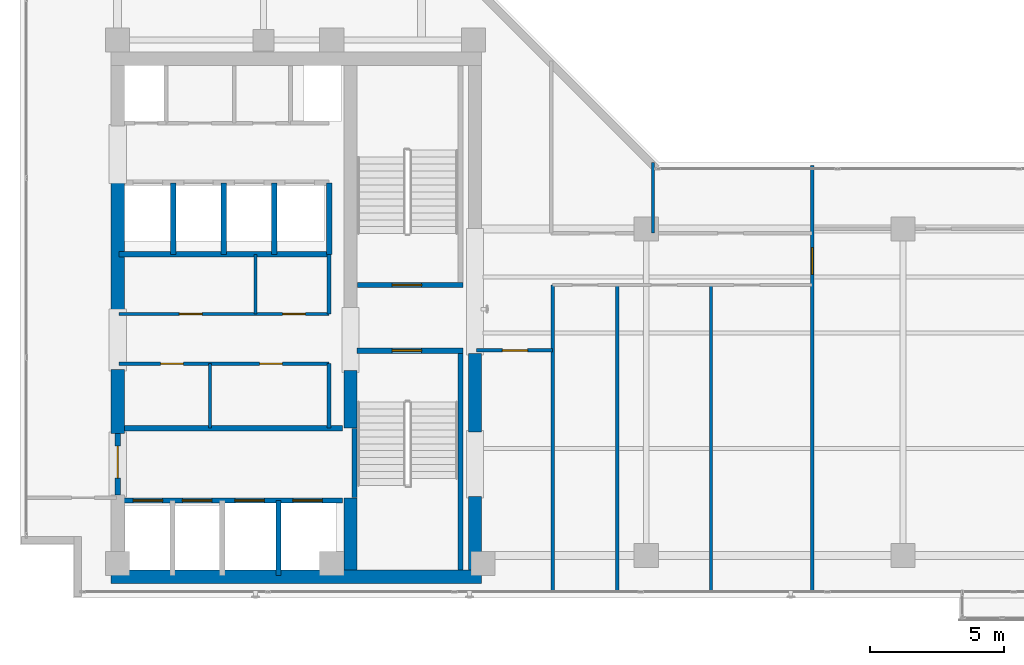
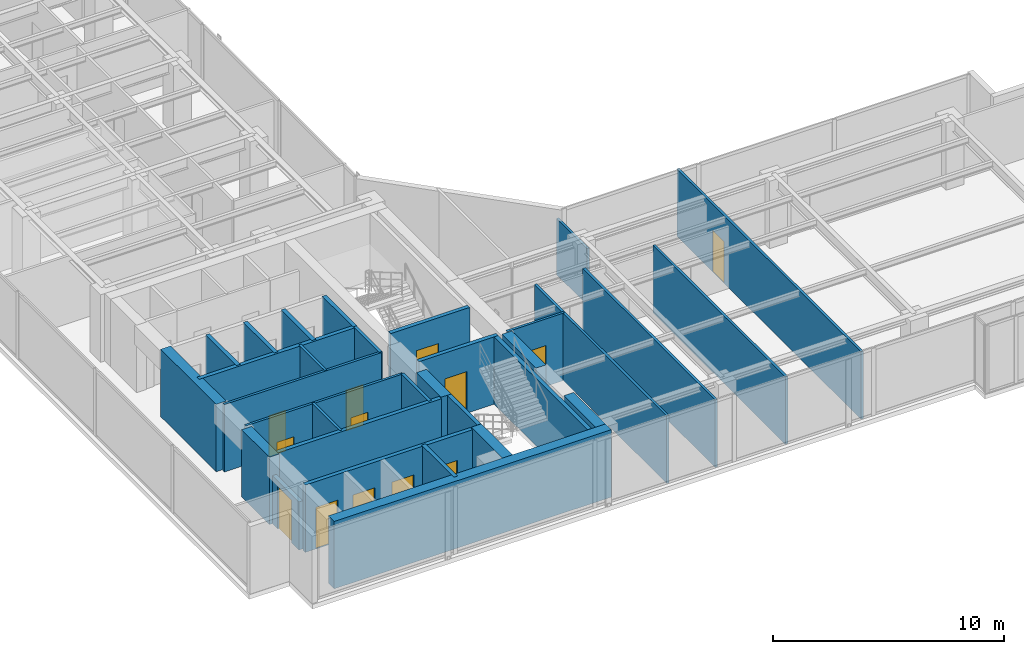
# One storey, part 16 of 23: 32 walls, 13 doors, 13 openings.
"""IFC4 building model written with IfcOpenShell, lengths in metres."""

from ifc_helpers import new_model, si_unit, direction, frame, frame_2d, origin, place, context, subcontext, project, spatial, rectangle, extrude, material, layer, layer_set, type_object, element, fill, save


model = new_model("IFC4")

# Units and contexts
model_context = context("Model", 3, precision=1e-05, world=origin(), true_north=direction((0.0, 1.0)))
body_context = subcontext(model_context, "Body", "Model", "MODEL_VIEW")
ifc_project = project(units=[si_unit("LENGTHUNIT", "METRE"), si_unit("AREAUNIT", "SQUARE_METRE"), si_unit("VOLUMEUNIT", "CUBIC_METRE"), si_unit("PLANEANGLEUNIT", "RADIAN"), si_unit("MASSUNIT", "GRAM", prefix="KILO")], contexts=[model_context])

# Site, building, storey
site_placement = place(None, origin())
site = spatial("IfcSite", under=ifc_project, at=site_placement, CompositionType="ELEMENT")
building_placement = place(site_placement, origin())
building = spatial("IfcBuilding", under=site, at=building_placement, Name="Kolvaren Waterfront Exchange", CompositionType="ELEMENT")
storey_placement = place(building_placement, frame((0.0, 0.0, 304.60009765625)))
storey = spatial("IfcBuildingStorey", under=building, at=storey_placement, Name="L78", CompositionType="ELEMENT", Elevation=304.60009765625)

# Wall, opening, door
ifc_material_1 = material(Name="Precast concrete C40/50", Category="concrete")
ifc_layer_1 = layer(ifc_material_1, 0.199951171875, Name="Precast concrete C40/50")
ifc_layer_set_1 = layer_set([ifc_layer_1], Name="Precast concrete C40/50")
wall_type_1 = type_object("IfcWallType", Name="ARC-FIRE-200", PredefinedType="PARTITIONING", material=ifc_layer_set_1)
wall_1_placement = place(storey_placement, frame((16.39990234375, 12.85009765625, 0.0), z_axis=(0.0, 0.0, 1.0), x_axis=(1.0, 0.0, 0.0)))
wall_1 = element("IfcWall", 1, at=wall_1_placement, inside=storey, type_object=wall_type_1, Name="L78 interior wall PW-L78-ST1-THROAT-S", PredefinedType="PARTITIONING", context=body_context, shape_type="SweptSolid", body=[
    extrude(rectangle(XDim=3.960205078125, YDim=0.199951171875, at=frame_2d((1.97998046875, 0.0))), origin(), (0.0, 0.0, 1.0), 3.559814453125),
])
opening_1_placement = place(wall_1_placement, frame((1.3037109375, 0.0, 0.0)))
opening_1 = element("IfcOpeningElement", 2, at=opening_1_placement, cuts=wall_1, Name="Opening FD2", PredefinedType="OPENING", context=body_context, shape_type="SweptSolid", body=[
    extrude(rectangle(XDim=1.10009765625, YDim=2.199951171875, at=frame_2d((0.550048828125, 1.10009765625))), frame((0.0, 0.10986328125, 0.0), z_axis=(0.0, -1.0, 0.0), x_axis=(1.0, 0.0, 0.0)), (0.0, 0.0, 1.0), 0.219970703125),
])
ifc_material_2 = material(Name="Pressed steel smoke-seal fire door", Category="steel")
door_type_1 = type_object("IfcDoorType", Name="ARC-FD-1100", OperationType="NOTDEFINED", PredefinedType="DOOR", material=ifc_material_2)
door_1_placement = place(opening_1_placement, frame((1.10009765625, 0.0, 0.0), z_axis=(0.0, 0.0, 1.0), x_axis=(-1.0, 0.0, 0.0)))
door_1 = element("IfcDoor", 3, at=door_1_placement, inside=storey, type_object=door_type_1, Name="L78 door DR-L78-ST1-IN (FD2)", OperationType="SINGLE_SWING_RIGHT", OverallHeight=2.199951171875, OverallWidth=1.10009765625, PredefinedType="DOOR", context=body_context, shape_type="SweptSolid", body=[
    extrude(rectangle(XDim=1.10009765625, YDim=2.199951171875, at=frame_2d((0.550048828125, 1.10009765625))), frame((0.0, 0.02490234375, 0.0), z_axis=(0.0, -1.0, 0.0), x_axis=(1.0, 0.0, 0.0)), (0.0, 0.0, 1.0), 0.050048828125),
])
fill(opening_1, door_1)

wall_2_placement = place(storey_placement, frame((16.409912109375, 15.300048828125, 0.0), z_axis=(0.0, 0.0, 1.0), x_axis=(1.0, 0.0, 0.0)))
wall_2 = element("IfcWall", 4, at=wall_2_placement, inside=storey, type_object=wall_type_1, Name="L78 interior wall PW-L78-ST2-THROAT-N", PredefinedType="PARTITIONING", context=body_context, shape_type="SweptSolid", body=[
    extrude(rectangle(XDim=3.9501953125, YDim=0.199951171875, at=frame_2d((1.97509765625, 0.0))), origin(), (0.0, 0.0, 1.0), 3.559814453125),
])
opening_2_placement = place(wall_2_placement, frame((1.293701171875, 0.0, 0.0)))
opening_2 = element("IfcOpeningElement", 5, at=opening_2_placement, cuts=wall_2, Name="Opening FD2", PredefinedType="OPENING", context=body_context, shape_type="SweptSolid", body=[
    extrude(rectangle(XDim=1.10009765625, YDim=2.199951171875, at=frame_2d((0.550048828125, 1.10009765625))), frame((0.0, 0.10986328125, 0.0), z_axis=(0.0, -1.0, 0.0), x_axis=(1.0, 0.0, 0.0)), (0.0, 0.0, 1.0), 0.219970703125),
])
door_2_placement = place(opening_2_placement, origin())
door_2 = element("IfcDoor", 6, at=door_2_placement, inside=storey, type_object=door_type_1, Name="L78 door DR-L78-ST2-IN (FD2)", OperationType="SINGLE_SWING_LEFT", OverallHeight=2.199951171875, OverallWidth=1.10009765625, PredefinedType="DOOR", context=body_context, shape_type="SweptSolid", body=[
    extrude(rectangle(XDim=1.10009765625, YDim=2.199951171875, at=frame_2d((0.550048828125, 1.10009765625))), frame((0.0, 0.02490234375, 0.0), z_axis=(0.0, -1.0, 0.0), x_axis=(1.0, 0.0, 0.0)), (0.0, 0.0, 1.0), 0.050048828125),
])
fill(opening_2, door_2)

# Wall
wall_3_placement = place(storey_placement, frame((7.5, 9.949951171875, 0.0), z_axis=(0.0, 0.0, 1.0), x_axis=(1.0, 0.0, 0.0)))
element("IfcWall", 7, at=wall_3_placement, inside=storey, type_object=wall_type_1, Name="L78 interior wall PW-L78-FF-N", PredefinedType="PARTITIONING", context=body_context, shape_type="SweptSolid", body=[
    extrude(rectangle(XDim=8.35009765625, YDim=0.199951171875, at=frame_2d((4.175048828125, 0.0))), origin(), (0.0, 0.0, 1.0), 3.559814453125),
])

# Wall, opening, door
wall_4_placement = place(storey_placement, frame((7.449951171875, 7.449951171875, 0.0), z_axis=(0.0, 0.0, 1.0), x_axis=(0.0, 1.0, 0.0)))
wall_4 = element("IfcWall", 8, at=wall_4_placement, inside=storey, type_object=wall_type_1, Name="L78 interior wall PW-L78-FF-W-DOOR", PredefinedType="PARTITIONING", context=body_context, shape_type="SweptSolid", body=[
    extrude(rectangle(XDim=2.300048828125, YDim=0.199951171875, at=frame_2d((1.14990234375, 0.0))), origin(), (0.0, 0.0, 1.0), 2.539794921875),
])
opening_3_placement = place(wall_4_placement, frame((0.63330078125, 0.0, 0.0)))
opening_3 = element("IfcOpeningElement", 9, at=opening_3_placement, cuts=wall_4, Name="Opening FD3", PredefinedType="OPENING", context=body_context, shape_type="SweptSolid", body=[
    extrude(rectangle(XDim=1.199951171875, YDim=2.25, at=frame_2d((0.60009765625, 1.125))), frame((0.0, 0.10986328125, 0.0), z_axis=(0.0, -1.0, 0.0), x_axis=(1.0, 0.0, 0.0)), (0.0, 0.0, 1.0), 0.219970703125),
])
ifc_material_3 = material(Name="Pressed steel fire door", Category="steel")
door_type_2 = type_object("IfcDoorType", Name="ARC-FD-1200", OperationType="NOTDEFINED", PredefinedType="DOOR", material=ifc_material_3)
door_3_placement = place(opening_3_placement, frame((1.199951171875, 0.0, 0.0), z_axis=(0.0, 0.0, 1.0), x_axis=(-1.0, 0.0, 0.0)))
door_3 = element("IfcDoor", 10, at=door_3_placement, inside=storey, type_object=door_type_2, Name="L78 door DR-L78-FF-OUT (FD3)", OperationType="SINGLE_SWING_RIGHT", OverallHeight=2.25, OverallWidth=1.199951171875, PredefinedType="DOOR", context=body_context, shape_type="SweptSolid", body=[
    extrude(rectangle(XDim=1.199951171875, YDim=2.25, at=frame_2d((0.60009765625, 1.125))), frame((0.0, 0.02490234375, 0.0), z_axis=(0.0, -1.0, 0.0), x_axis=(1.0, 0.0, 0.0)), (0.0, 0.0, 1.0), 0.050048828125),
])
fill(opening_3, door_3)

# Wall, openings, doors
ifc_material_4 = material(Name="Acoustic gypsum steel stud", Category="steel")
ifc_layer_2 = layer(ifc_material_4, 0.125, Name="Acoustic gypsum steel stud")
ifc_layer_set_2 = layer_set([ifc_layer_2], Name="Acoustic gypsum steel stud")
wall_type_2 = type_object("IfcWallType", Name="ARC-PART-125", PredefinedType="PARTITIONING", material=ifc_layer_set_2)
wall_5_placement = place(storey_placement, frame((7.5, 12.360107421875, 0.0), z_axis=(0.0, 0.0, 1.0), x_axis=(1.0, 0.0, 0.0)))
wall_5 = element("IfcWall", 11, at=wall_5_placement, inside=storey, type_object=wall_type_2, Name="L78 interior wall PW-L78-REC-HI-S", PredefinedType="PARTITIONING", context=body_context, shape_type="SweptSolid", body=[
    extrude(rectangle(XDim=7.85009765625, YDim=0.125, at=frame_2d((3.925048828125, 0.0))), origin(), (0.0, 0.0, 1.0), 3.559814453125),
])
opening_4_placement = place(wall_5_placement, frame((1.550048828125, 0.0, 0.0)))
opening_4 = element("IfcOpeningElement", 12, at=opening_4_placement, cuts=wall_5, Name="Opening D01", PredefinedType="OPENING", context=body_context, shape_type="SweptSolid", body=[
    extrude(rectangle(XDim=0.85009765625, YDim=2.14990234375, at=frame_2d((0.425048828125, 1.074951171875))), frame((0.0, 0.072509765625, 0.0), z_axis=(0.0, -1.0, 0.0), x_axis=(1.0, 0.0, 0.0)), (0.0, 0.0, 1.0), 0.14501953125),
])
opening_5_placement = place(wall_5_placement, frame((5.2578125, 0.0, 0.0)))
opening_5 = element("IfcOpeningElement", 13, at=opening_5_placement, cuts=wall_5, Name="Opening D01", PredefinedType="OPENING", context=body_context, shape_type="SweptSolid", body=[
    extrude(rectangle(XDim=0.85009765625, YDim=2.14990234375, at=frame_2d((0.425048828125, 1.074951171875))), frame((0.0, 0.072509765625, 0.0), z_axis=(0.0, -1.0, 0.0), x_axis=(1.0, 0.0, 0.0)), (0.0, 0.0, 1.0), 0.14501953125),
])
ifc_material_5 = material(Name="Oak veneer timber leaf", Category="wood")
door_type_3 = type_object("IfcDoorType", Name="ARC-DR-900", OperationType="NOTDEFINED", PredefinedType="DOOR", material=ifc_material_5)
door_4_placement = place(opening_4_placement, origin())
door_4 = element("IfcDoor", 14, at=door_4_placement, inside=storey, type_object=door_type_3, Name="L78 door DR-L78-REC-HI-D1 (D01)", OperationType="SINGLE_SWING_LEFT", OverallHeight=2.14990234375, OverallWidth=0.85009765625, PredefinedType="DOOR", context=body_context, shape_type="SweptSolid", body=[
    extrude(rectangle(XDim=0.85009765625, YDim=2.14990234375, at=frame_2d((0.425048828125, 1.074951171875))), frame((0.0, 0.02490234375, 0.0), z_axis=(0.0, -1.0, 0.0), x_axis=(1.0, 0.0, 0.0)), (0.0, 0.0, 1.0), 0.050048828125),
])
fill(opening_4, door_4)
door_5_placement = place(opening_5_placement, origin())
door_5 = element("IfcDoor", 15, at=door_5_placement, inside=storey, type_object=door_type_3, Name="L78 door DR-L78-REC-HI-D2 (D01)", OperationType="SINGLE_SWING_RIGHT", OverallHeight=2.14990234375, OverallWidth=0.85009765625, PredefinedType="DOOR", context=body_context, shape_type="SweptSolid", body=[
    extrude(rectangle(XDim=0.85009765625, YDim=2.14990234375, at=frame_2d((0.425048828125, 1.074951171875))), frame((0.0, 0.02490234375, 0.0), z_axis=(0.0, -1.0, 0.0), x_axis=(1.0, 0.0, 0.0)), (0.0, 0.0, 1.0), 0.050048828125),
])
fill(opening_5, door_5)

wall_6_placement = place(storey_placement, frame((7.5, 14.219970703125, 0.0), z_axis=(0.0, 0.0, 1.0), x_axis=(1.0, 0.0, 0.0)))
wall_6 = element("IfcWall", 16, at=wall_6_placement, inside=storey, type_object=wall_type_2, Name="L78 interior wall PW-L78-REC-HI-N", PredefinedType="PARTITIONING", context=body_context, shape_type="SweptSolid", body=[
    extrude(rectangle(XDim=7.85009765625, YDim=0.125, at=frame_2d((3.925048828125, 0.0))), origin(), (0.0, 0.0, 1.0), 3.559814453125),
])
opening_6_placement = place(wall_6_placement, frame((2.25244140625, 0.0, 0.0)))
opening_6 = element("IfcOpeningElement", 17, at=opening_6_placement, cuts=wall_6, Name="Opening D01", PredefinedType="OPENING", context=body_context, shape_type="SweptSolid", body=[
    extrude(rectangle(XDim=0.85009765625, YDim=2.14990234375, at=frame_2d((0.425048828125, 1.074951171875))), frame((0.0, 0.072509765625, 0.0), z_axis=(0.0, -1.0, 0.0), x_axis=(1.0, 0.0, 0.0)), (0.0, 0.0, 1.0), 0.14501953125),
])
opening_7_placement = place(wall_6_placement, frame((6.111328125, 0.0, 0.0)))
opening_7 = element("IfcOpeningElement", 18, at=opening_7_placement, cuts=wall_6, Name="Opening D01", PredefinedType="OPENING", context=body_context, shape_type="SweptSolid", body=[
    extrude(rectangle(XDim=0.85009765625, YDim=2.14990234375, at=frame_2d((0.425048828125, 1.074951171875))), frame((0.0, 0.072509765625, 0.0), z_axis=(0.0, -1.0, 0.0), x_axis=(1.0, 0.0, 0.0)), (0.0, 0.0, 1.0), 0.14501953125),
])
door_6_placement = place(opening_6_placement, origin())
door_6 = element("IfcDoor", 19, at=door_6_placement, inside=storey, type_object=door_type_3, Name="L78 door DR-L78-REC-HI-D3 (D01)", OperationType="SINGLE_SWING_LEFT", OverallHeight=2.14990234375, OverallWidth=0.85009765625, PredefinedType="DOOR", context=body_context, shape_type="SweptSolid", body=[
    extrude(rectangle(XDim=0.85009765625, YDim=2.14990234375, at=frame_2d((0.425048828125, 1.074951171875))), frame((0.0, 0.02490234375, 0.0), z_axis=(0.0, -1.0, 0.0), x_axis=(1.0, 0.0, 0.0)), (0.0, 0.0, 1.0), 0.050048828125),
])
fill(opening_6, door_6)
door_7_placement = place(opening_7_placement, origin())
door_7 = element("IfcDoor", 20, at=door_7_placement, inside=storey, type_object=door_type_3, Name="L78 door DR-L78-REC-HI-D4 (D01)", OperationType="SINGLE_SWING_RIGHT", OverallHeight=2.14990234375, OverallWidth=0.85009765625, PredefinedType="DOOR", context=body_context, shape_type="SweptSolid", body=[
    extrude(rectangle(XDim=0.85009765625, YDim=2.14990234375, at=frame_2d((0.425048828125, 1.074951171875))), frame((0.0, 0.02490234375, 0.0), z_axis=(0.0, -1.0, 0.0), x_axis=(1.0, 0.0, 0.0)), (0.0, 0.0, 1.0), 0.050048828125),
])
fill(opening_7, door_7)

# Walls
wall_7_placement = place(storey_placement, frame((10.89990234375, 9.949951171875, 0.0), z_axis=(0.0, 0.0, 1.0), x_axis=(0.0, 1.0, 0.0)))
element("IfcWall", 21, at=wall_7_placement, inside=storey, type_object=wall_type_2, Name="L78 interior wall PW-L78-REC-HI-MS3", PredefinedType="PARTITIONING", context=body_context, shape_type="SweptSolid", body=[
    extrude(rectangle(XDim=2.41015625, YDim=0.125, at=frame_2d((1.205078125, 0.0))), origin(), (0.0, 0.0, 1.0), 3.559814453125),
])
wall_8_placement = place(storey_placement, frame((12.60009765625, 14.219970703125, 0.0), z_axis=(0.0, 0.0, 1.0), x_axis=(0.0, 1.0, 0.0)))
element("IfcWall", 22, at=wall_8_placement, inside=storey, type_object=wall_type_2, Name="L78 interior wall PW-L78-REC-HI-MN3", PredefinedType="PARTITIONING", context=body_context, shape_type="SweptSolid", body=[
    extrude(rectangle(XDim=2.22998046875, YDim=0.125, at=frame_2d((1.114990234375, 0.0))), origin(), (0.0, 0.0, 1.0), 3.559814453125),
])

# Wall, opening, door
wall_9_placement = place(storey_placement, frame((20.85009765625, 12.860107421875, 0.0), z_axis=(0.0, 0.0, 1.0), x_axis=(1.0, 0.0, 0.0)))
wall_9 = element("IfcWall", 23, at=wall_9_placement, inside=storey, type_object=wall_type_2, Name="L78 interior wall PW-L78-SWST3-N", PredefinedType="PARTITIONING", context=body_context, shape_type="SweptSolid", body=[
    extrude(rectangle(XDim=2.849853515625, YDim=0.125, at=frame_2d((1.4248046875, 0.0))), origin(), (0.0, 0.0, 1.0), 3.559814453125),
])
opening_8_placement = place(wall_9_placement, frame((0.971435546875, 0.0, 0.0)))
opening_8 = element("IfcOpeningElement", 24, at=opening_8_placement, cuts=wall_9, Name="Opening D02", PredefinedType="OPENING", context=body_context, shape_type="SweptSolid", body=[
    extrude(rectangle(XDim=0.949951171875, YDim=2.14990234375, at=frame_2d((0.47509765625, 1.074951171875))), frame((0.0, 0.072509765625, 0.0), z_axis=(0.0, -1.0, 0.0), x_axis=(1.0, 0.0, 0.0)), (0.0, 0.0, 1.0), 0.14501953125),
])
ifc_material_6 = material(Name="Oak veneer acoustic timber", Category="wood")
door_type_4 = type_object("IfcDoorType", Name="ARC-DR-950", OperationType="NOTDEFINED", PredefinedType="DOOR", material=ifc_material_6)
door_8_placement = place(opening_8_placement, origin())
door_8 = element("IfcDoor", 25, at=door_8_placement, inside=storey, type_object=door_type_4, Name="L78 door DR-L78-SWST3-D (D02)", OperationType="SINGLE_SWING_LEFT", OverallHeight=2.14990234375, OverallWidth=0.949951171875, PredefinedType="DOOR", context=body_context, shape_type="SweptSolid", body=[
    extrude(rectangle(XDim=0.949951171875, YDim=2.14990234375, at=frame_2d((0.47509765625, 1.074951171875))), frame((0.0, 0.02490234375, 0.0), z_axis=(0.0, -1.0, 0.0), x_axis=(1.0, 0.0, 0.0)), (0.0, 0.0, 1.0), 0.050048828125),
])
fill(opening_8, door_8)

# Walls
for number, where, z_axis, x_axis, name in (
    (26, (23.699951171875, 3.840087890625, 0.0), (0.0, 0.0, 1.0), (0.0, 1.0, 0.0), "L78 interior wall PW-L78-ES-W0"),
    (27, (26.1201171875, 3.840087890625, 0.0), (0.0, 0.0, 1.0), (0.0, 1.0, 0.0), "L78 interior wall PW-L78-ES-DIV-1"),
    (28, (29.6201171875, 3.840087890625, 0.0), (0.0, 0.0, 1.0), (0.0, 1.0, 0.0), "L78 interior wall PW-L78-ES-DIV-2"),
):
    element("IfcWall", number, at=place(storey_placement, frame(where, z_axis=z_axis, x_axis=x_axis)), inside=storey, type_object=wall_type_2, Name=name, PredefinedType="PARTITIONING", context=body_context, shape_type="SweptSolid", body=[
        extrude(rectangle(XDim=11.4599609375, YDim=0.125, at=frame_2d((5.72998046875, 0.0))), origin(), (0.0, 0.0, 1.0), 3.559814453125),
    ])

# Wall, opening, door
wall_10_placement = place(storey_placement, frame((33.39990234375, 3.840087890625, 0.0), z_axis=(0.0, 0.0, 1.0), x_axis=(0.0, 1.0, 0.0)))
wall_10 = element("IfcWall", 29, at=wall_10_placement, inside=storey, type_object=wall_type_2, Name="L78 interior wall PW-L78-ETIP-W", PredefinedType="PARTITIONING", context=body_context, shape_type="SweptSolid", body=[
    extrude(rectangle(XDim=15.919921875, YDim=0.125, at=frame_2d((7.9599609375, 0.0))), origin(), (0.0, 0.0, 1.0), 3.559814453125),
])
opening_9_placement = place(wall_10_placement, frame((11.860107421875, 0.0, 0.0)))
opening_9 = element("IfcOpeningElement", 30, at=opening_9_placement, cuts=wall_10, Name="Opening D03", PredefinedType="OPENING", context=body_context, shape_type="SweptSolid", body=[
    extrude(rectangle(XDim=1.0, YDim=2.199951171875, at=frame_2d((0.5, 1.10009765625))), frame((0.0, 0.072509765625, 0.0), z_axis=(0.0, -1.0, 0.0), x_axis=(1.0, 0.0, 0.0)), (0.0, 0.0, 1.0), 0.14501953125),
])
ifc_material_7 = material(Name="Oak veneer accessible timber", Category="wood")
door_type_5 = type_object("IfcDoorType", Name="ARC-DR-1000", OperationType="NOTDEFINED", PredefinedType="DOOR", material=ifc_material_7)
door_9_placement = place(opening_9_placement, origin())
door_9 = element("IfcDoor", 31, at=door_9_placement, inside=storey, type_object=door_type_5, Name="L78 door DR-L78-ETIP1-D (D03)", OperationType="SINGLE_SWING_LEFT", OverallHeight=2.199951171875, OverallWidth=1.0, PredefinedType="DOOR", context=body_context, shape_type="SweptSolid", body=[
    extrude(rectangle(XDim=1.0, YDim=2.199951171875, at=frame_2d((0.5, 1.10009765625))), frame((0.0, 0.02490234375, 0.0), z_axis=(0.0, -1.0, 0.0), x_axis=(1.0, 0.0, 0.0)), (0.0, 0.0, 1.0), 0.050048828125),
])
fill(opening_9, door_9)

# Walls
wall_11_placement = place(storey_placement, frame((27.449951171875, 17.239990234375, 0.0), z_axis=(0.0, 0.0, 1.0), x_axis=(0.0, 1.0, 0.0)))
element("IfcWall", 32, at=wall_11_placement, inside=storey, type_object=wall_type_2, Name="L78 interior wall PW-L78-EN-DIV-1", PredefinedType="PARTITIONING", context=body_context, shape_type="SweptSolid", body=[
    extrude(rectangle(XDim=2.638427734375, YDim=0.125, at=frame_2d((1.3193359375, 0.0))), origin(), (0.0, 0.0, 1.0), 2.9599609375),
])
ifc_material_8 = material(Name="Gypsum fireboard steel stud", Category="steel")
ifc_layer_3 = layer(ifc_material_8, 0.14990234375, Name="Gypsum fireboard steel stud")
ifc_layer_set_3 = layer_set([ifc_layer_3], Name="Gypsum fireboard steel stud")
wall_type_3 = type_object("IfcWallType", Name="ARC-PART-150", PredefinedType="PARTITIONING", material=ifc_layer_set_3)
wall_12_placement = place(storey_placement, frame((15.35009765625, 9.949951171875, 0.0), z_axis=(0.0, 0.0, 1.0), x_axis=(0.0, 1.0, 0.0)))
element("IfcWall", 33, at=wall_12_placement, inside=storey, type_object=wall_type_3, Name="L78 interior wall PW-L78-REC-HI-E1", PredefinedType="PARTITIONING", context=body_context, shape_type="SweptSolid", body=[
    extrude(rectangle(XDim=2.41015625, YDim=0.14990234375, at=frame_2d((1.205078125, 0.0))), origin(), (0.0, 0.0, 1.0), 3.559814453125),
])
wall_13_placement = place(storey_placement, frame((15.35009765625, 14.219970703125, 0.0), z_axis=(0.0, 0.0, 1.0), x_axis=(0.0, 1.0, 0.0)))
element("IfcWall", 34, at=wall_13_placement, inside=storey, type_object=wall_type_3, Name="L78 interior wall PW-L78-REC-HI-E2", PredefinedType="PARTITIONING", context=body_context, shape_type="SweptSolid", body=[
    extrude(rectangle(XDim=2.22998046875, YDim=0.14990234375, at=frame_2d((1.114990234375, 0.0))), origin(), (0.0, 0.0, 1.0), 3.559814453125),
])
ifc_material_9 = material(Name="Concrete C40/50", Category="concrete")
ifc_layer_4 = layer(ifc_material_9, 0.199951171875, Name="Concrete C40/50")
ifc_layer_set_4 = layer_set([ifc_layer_4], Name="Concrete C40/50")
wall_type_4 = type_object("IfcWallType", Name="ARC-SHAFT-200", PredefinedType="PARTITIONING", material=ifc_layer_set_4)
wall_14_placement = place(storey_placement, frame((16.300048828125, 7.360107421875, 0.0), z_axis=(0.0, 0.0, 1.0), x_axis=(0.0, 1.0, 0.0)))
element("IfcWall", 35, at=wall_14_placement, inside=storey, type_object=wall_type_4, Name="L78 structural stairwell wall PW-L78-ST1-W", PredefinedType="SHEAR", context=body_context, shape_type="SweptSolid", body=[
    extrude(rectangle(XDim=2.579833984375, YDim=0.199951171875, at=frame_2d((1.2900390625, 0.0))), origin(), (0.0, 0.0, 1.0), 3.559814453125),
])
wall_15_placement = place(storey_placement, frame((20.260009765625, 4.659912109375, 0.0), z_axis=(0.0, 0.0, 1.0), x_axis=(0.0, 1.0, 0.0)))
element("IfcWall", 36, at=wall_15_placement, inside=storey, type_object=wall_type_4, Name="L78 structural stairwell wall PW-L78-ST1-E", PredefinedType="SHEAR", context=body_context, shape_type="SweptSolid", body=[
    extrude(rectangle(XDim=8.090087890625, YDim=0.199951171875, at=frame_2d((4.044921875, 0.0))), origin(), (0.0, 0.0, 1.0), 3.559814453125),
])

# Wall, openings, doors
wall_16_placement = place(storey_placement, frame((7.5, 7.25, 0.0), z_axis=(0.0, 0.0, 1.0), x_axis=(1.0, 0.0, 0.0)))
wall_16 = element("IfcWall", 37, at=wall_16_placement, inside=storey, type_object=wall_type_4, Name="L78 interior wall PW-L78-FF-S", PredefinedType="PARTITIONING", context=body_context, shape_type="SweptSolid", body=[
    extrude(rectangle(XDim=8.35009765625, YDim=0.199951171875, at=frame_2d((4.175048828125, 0.0))), origin(), (0.0, 0.0, 1.0), 3.559814453125),
])
opening_10_placement = place(wall_16_placement, frame((0.530029296875, 0.0, 0.0)))
opening_10 = element("IfcOpeningElement", 38, at=opening_10_placement, cuts=wall_16, Name="Opening LD1", PredefinedType="OPENING", context=body_context, shape_type="SweptSolid", body=[
    extrude(rectangle(XDim=1.10009765625, YDim=2.199951171875, at=frame_2d((0.550048828125, 1.10009765625))), frame((0.0, 0.10986328125, 0.0), z_axis=(0.0, -1.0, 0.0), x_axis=(1.0, 0.0, 0.0)), (0.0, 0.0, 1.0), 0.219970703125),
])
opening_11_placement = place(wall_16_placement, frame((2.3701171875, 0.0, 0.0)))
opening_11 = element("IfcOpeningElement", 39, at=opening_11_placement, cuts=wall_16, Name="Opening LD1", PredefinedType="OPENING", context=body_context, shape_type="SweptSolid", body=[
    extrude(rectangle(XDim=1.10009765625, YDim=2.199951171875, at=frame_2d((0.550048828125, 1.10009765625))), frame((0.0, 0.10986328125, 0.0), z_axis=(0.0, -1.0, 0.0), x_axis=(1.0, 0.0, 0.0)), (0.0, 0.0, 1.0), 0.219970703125),
])
opening_12_placement = place(wall_16_placement, frame((4.330078125, 0.0, 0.0)))
opening_12 = element("IfcOpeningElement", 40, at=opening_12_placement, cuts=wall_16, Name="Opening LD1", PredefinedType="OPENING", context=body_context, shape_type="SweptSolid", body=[
    extrude(rectangle(XDim=1.10009765625, YDim=2.199951171875, at=frame_2d((0.550048828125, 1.10009765625))), frame((0.0, 0.10986328125, 0.0), z_axis=(0.0, -1.0, 0.0), x_axis=(1.0, 0.0, 0.0)), (0.0, 0.0, 1.0), 0.219970703125),
])
opening_13_placement = place(wall_16_placement, frame((6.5, 0.0, 0.0)))
opening_13 = element("IfcOpeningElement", 41, at=opening_13_placement, cuts=wall_16, Name="Opening LD1", PredefinedType="OPENING", context=body_context, shape_type="SweptSolid", body=[
    extrude(rectangle(XDim=1.10009765625, YDim=2.199951171875, at=frame_2d((0.550048828125, 1.10009765625))), frame((0.0, 0.10986328125, 0.0), z_axis=(0.0, -1.0, 0.0), x_axis=(1.0, 0.0, 0.0)), (0.0, 0.0, 1.0), 0.219970703125),
])
ifc_material_10 = material(Name="Stainless steel sliding landing door", Category="steel")
door_type_6 = type_object("IfcDoorType", Name="ARC-LD-FF", OperationType="SLIDING_TO_LEFT", PredefinedType="DOOR", material=ifc_material_10)
door_10_placement = place(opening_10_placement, origin())
door_10 = element("IfcDoor", 42, at=door_10_placement, inside=storey, type_object=door_type_6, Name="L78 door LD-L78-FFL1 (LD1)", OperationType="SLIDING_TO_LEFT", OverallHeight=2.199951171875, OverallWidth=1.10009765625, PredefinedType="DOOR", context=body_context, shape_type="SweptSolid", body=[
    extrude(rectangle(XDim=1.10009765625, YDim=2.199951171875, at=frame_2d((0.550048828125, 1.10009765625))), frame((0.0, 0.02490234375, 0.0), z_axis=(0.0, -1.0, 0.0), x_axis=(1.0, 0.0, 0.0)), (0.0, 0.0, 1.0), 0.050048828125),
])
fill(opening_10, door_10)
door_11_placement = place(opening_11_placement, origin())
door_11 = element("IfcDoor", 43, at=door_11_placement, inside=storey, type_object=door_type_6, Name="L78 door LD-L78-FFL2 (LD1)", OperationType="SLIDING_TO_LEFT", OverallHeight=2.199951171875, OverallWidth=1.10009765625, PredefinedType="DOOR", context=body_context, shape_type="SweptSolid", body=[
    extrude(rectangle(XDim=1.10009765625, YDim=2.199951171875, at=frame_2d((0.550048828125, 1.10009765625))), frame((0.0, 0.02490234375, 0.0), z_axis=(0.0, -1.0, 0.0), x_axis=(1.0, 0.0, 0.0)), (0.0, 0.0, 1.0), 0.050048828125),
])
fill(opening_11, door_11)
door_12_placement = place(opening_12_placement, origin())
door_12 = element("IfcDoor", 44, at=door_12_placement, inside=storey, type_object=door_type_6, Name="L78 door LD-L78-GL1 (LD1)", OperationType="SLIDING_TO_LEFT", OverallHeight=2.199951171875, OverallWidth=1.10009765625, PredefinedType="DOOR", context=body_context, shape_type="SweptSolid", body=[
    extrude(rectangle(XDim=1.10009765625, YDim=2.199951171875, at=frame_2d((0.550048828125, 1.10009765625))), frame((0.0, 0.02490234375, 0.0), z_axis=(0.0, -1.0, 0.0), x_axis=(1.0, 0.0, 0.0)), (0.0, 0.0, 1.0), 0.050048828125),
])
fill(opening_12, door_12)
door_13_placement = place(opening_13_placement, origin())
door_13 = element("IfcDoor", 45, at=door_13_placement, inside=storey, type_object=door_type_6, Name="L78 door LD-L78-GL2 (LD1)", OperationType="SLIDING_TO_LEFT", OverallHeight=2.199951171875, OverallWidth=1.10009765625, PredefinedType="DOOR", context=body_context, shape_type="SweptSolid", body=[
    extrude(rectangle(XDim=1.10009765625, YDim=2.199951171875, at=frame_2d((0.550048828125, 1.10009765625))), frame((0.0, 0.02490234375, 0.0), z_axis=(0.0, -1.0, 0.0), x_axis=(1.0, 0.0, 0.0)), (0.0, 0.0, 1.0), 0.050048828125),
])
fill(opening_13, door_13)

# Walls
wall_17_placement = place(storey_placement, frame((13.4599609375, 4.449951171875, 0.0), z_axis=(0.0, 0.0, 1.0), x_axis=(0.0, 1.0, 0.0)))
element("IfcWall", 46, at=wall_17_placement, inside=storey, type_object=wall_type_4, Name="L78 interior wall PW-L78-SH1-DIV-134", PredefinedType="PARTITIONING", context=body_context, shape_type="SweptSolid", body=[
    extrude(rectangle(XDim=2.800048828125, YDim=0.199951171875, at=frame_2d((1.39990234375, 0.0))), origin(), (0.0, 0.0, 1.0), 3.559814453125),
])
wall_18_placement = place(storey_placement, frame((7.5, 16.449951171875, 0.0), z_axis=(0.0, 0.0, 1.0), x_axis=(1.0, 0.0, 0.0)))
element("IfcWall", 47, at=wall_18_placement, inside=storey, type_object=wall_type_4, Name="L78 interior wall PW-L78-REC-PM-N", PredefinedType="PARTITIONING", context=body_context, shape_type="SweptSolid", body=[
    extrude(rectangle(XDim=7.85009765625, YDim=0.199951171875, at=frame_2d((3.925048828125, 0.0))), origin(), (0.0, 0.0, 1.0), 3.559814453125),
])
for number, where, z_axis, x_axis, name in (
    (48, (15.35009765625, 16.449951171875, 0.0), (0.0, 0.0, 1.0), (0.0, 1.0, 0.0), "L78 interior wall PW-L78-PH-E"),
    (49, (9.52001953125, 16.449951171875, 0.0), (0.0, 0.0, 1.0), (0.0, 1.0, 0.0), "L78 interior wall PW-L78-SH4-DIV-95"),
    (50, (11.409912109375, 16.449951171875, 0.0), (0.0, 0.0, 1.0), (0.0, 1.0, 0.0), "L78 interior wall PW-L78-SH4-DIV-114"),
    (51, (13.300048828125, 16.449951171875, 0.0), (0.0, 0.0, 1.0), (0.0, 1.0, 0.0), "L78 interior wall PW-L78-SH4-DIV-133"),
):
    element("IfcWall", number, at=place(storey_placement, frame(where, z_axis=z_axis, x_axis=x_axis)), inside=storey, type_object=wall_type_4, Name=name, PredefinedType="PARTITIONING", context=body_context, shape_type="SweptSolid", body=[
        extrude(rectangle(XDim=2.670166015625, YDim=0.199951171875, at=frame_2d((1.3349609375, 0.0))), origin(), (0.0, 0.0, 1.0), 3.559814453125),
    ])
ifc_material_11 = material(Name="Concrete C50/60", Category="concrete")
ifc_layer_5 = layer(ifc_material_11, 0.5, Name="Concrete C50/60")
ifc_layer_set_5 = layer_set([ifc_layer_5], Name="Concrete C50/60")
wall_type_5 = type_object("IfcWallType", Name="STR-CWALL-500", PredefinedType="SHEAR", material=ifc_layer_set_5)
wall_19_placement = place(storey_placement, frame((7.199951171875, 4.39990234375, 0.0), z_axis=(0.0, 0.0, 1.0), x_axis=(1.0, 0.0, 0.0)))
element("IfcWall", 52, at=wall_19_placement, inside=storey, type_object=wall_type_5, Name="L78 rear-core shear wall S", PredefinedType="SHEAR", context=body_context, shape_type="SweptSolid", body=[
    extrude(rectangle(XDim=13.85009765625, YDim=0.5, at=frame_2d((6.925048828125, 0.0))), origin(), (0.0, 0.0, 1.0), 3.559814453125),
])
wall_20_placement = place(storey_placement, frame((7.449951171875, 9.75, 0.0), z_axis=(0.0, 0.0, 1.0), x_axis=(0.0, 1.0, 0.0)))
element("IfcWall", 53, at=wall_20_placement, inside=storey, type_object=wall_type_5, Name="L78 rear-core shear wall W2A", PredefinedType="SHEAR", context=body_context, shape_type="SweptSolid", body=[
    extrude(rectangle(XDim=2.39990234375, YDim=0.5, at=frame_2d((1.199951171875, 0.0))), origin(), (0.0, 0.0, 1.0), 3.559814453125),
])
wall_21_placement = place(storey_placement, frame((7.449951171875, 14.35009765625, 0.0), z_axis=(0.0, 0.0, 1.0), x_axis=(0.0, 1.0, 0.0)))
element("IfcWall", 54, at=wall_21_placement, inside=storey, type_object=wall_type_5, Name="L78 rear-core shear wall W2B", PredefinedType="SHEAR", context=body_context, shape_type="SweptSolid", body=[
    extrude(rectangle(XDim=4.809814453125, YDim=0.5, at=frame_2d((2.40478515625, 0.0))), origin(), (0.0, 0.0, 1.0), 3.559814453125),
])
wall_22_placement = place(storey_placement, frame((20.800048828125, 4.64990234375, 0.0), z_axis=(0.0, 0.0, 1.0), x_axis=(0.0, 1.0, 0.0)))
element("IfcWall", 55, at=wall_22_placement, inside=storey, type_object=wall_type_5, Name="L78 rear-core shear wall E1", PredefinedType="SHEAR", context=body_context, shape_type="SweptSolid", body=[
    extrude(rectangle(XDim=2.75, YDim=0.5, at=frame_2d((1.375, 0.0))), origin(), (0.0, 0.0, 1.0), 3.559814453125),
])
wall_23_placement = place(storey_placement, frame((20.800048828125, 9.800048828125, 0.0), z_axis=(0.0, 0.0, 1.0), x_axis=(0.0, 1.0, 0.0)))
element("IfcWall", 56, at=wall_23_placement, inside=storey, type_object=wall_type_5, Name="L78 rear-core shear wall E2", PredefinedType="SHEAR", context=body_context, shape_type="SweptSolid", body=[
    extrude(rectangle(XDim=2.949951171875, YDim=0.5, at=frame_2d((1.47509765625, 0.0))), origin(), (0.0, 0.0, 1.0), 3.559814453125),
])
wall_24_placement = place(storey_placement, frame((16.14990234375, 4.64990234375, 0.0), z_axis=(0.0, 0.0, 1.0), x_axis=(0.0, 1.0, 0.0)))
element("IfcWall", 57, at=wall_24_placement, inside=storey, type_object=wall_type_5, Name="L78 rear-core shear wall M1", PredefinedType="SHEAR", context=body_context, shape_type="SweptSolid", body=[
    extrude(rectangle(XDim=2.7001953125, YDim=0.5, at=frame_2d((1.35009765625, 0.0))), origin(), (0.0, 0.0, 1.0), 3.559814453125),
])
wall_25_placement = place(storey_placement, frame((16.14990234375, 9.949951171875, 0.0), z_axis=(0.0, 0.0, 1.0), x_axis=(0.0, 1.0, 0.0)))
element("IfcWall", 58, at=wall_25_placement, inside=storey, type_object=wall_type_5, Name="L78 rear-core shear wall M2", PredefinedType="SHEAR", context=body_context, shape_type="SweptSolid", body=[
    extrude(rectangle(XDim=2.150146484375, YDim=0.5, at=frame_2d((1.0751953125, 0.0))), origin(), (0.0, 0.0, 1.0), 3.559814453125),
])

save(model, "model.ifc")
